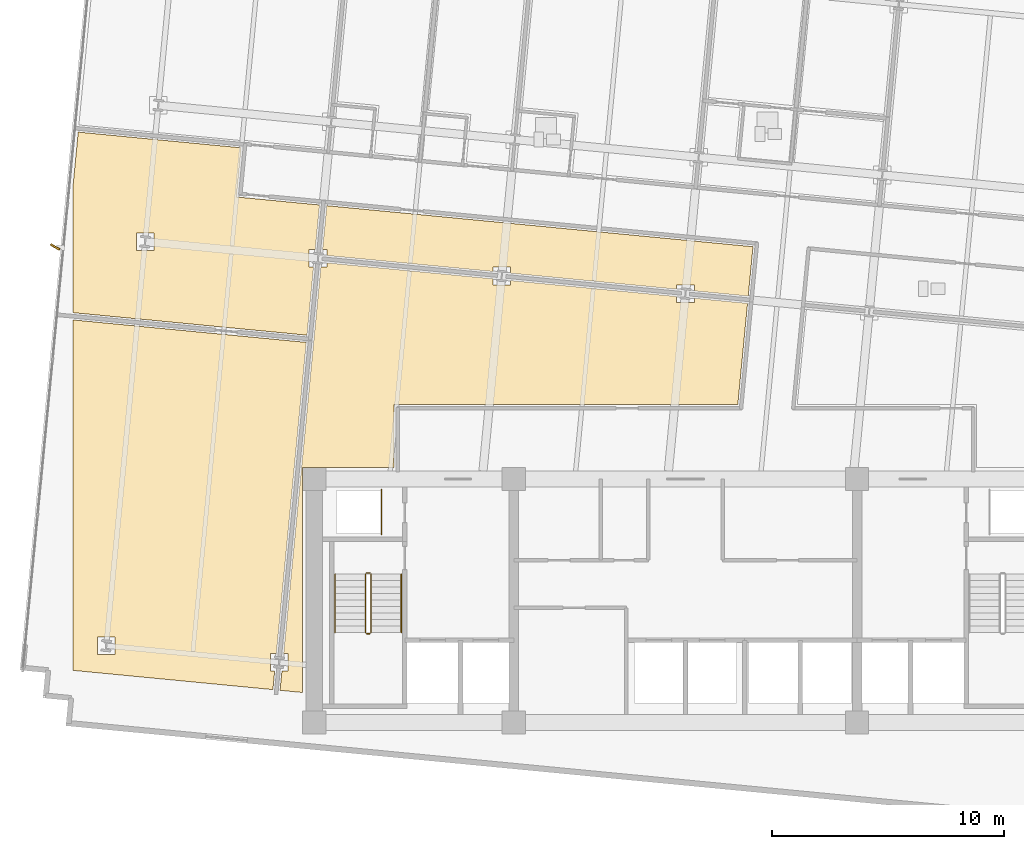
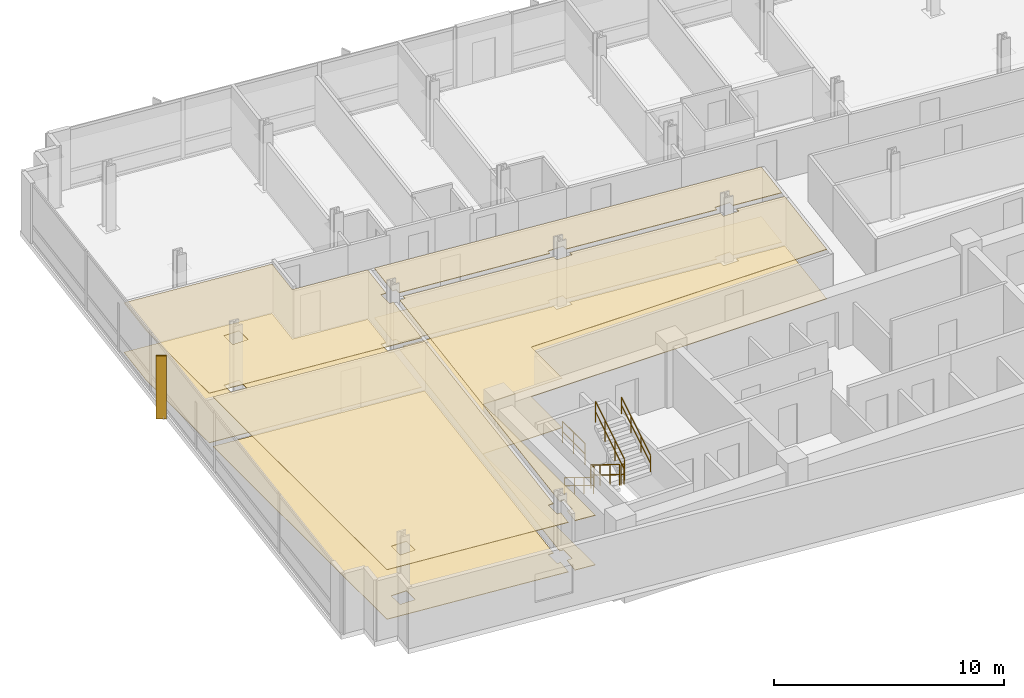
# One storey, part 14 of 17: 8 coverings, 7 railings, 1 shading device.
"""IFC4 building model written with IfcOpenShell, lengths in metres."""

from ifc_helpers import new_model, si_unit, direction, frame, origin, origin_2d, place, context, subcontext, project, spatial, polyline, rectangle, circle, outline, extrude, material, layer, layer_set, type_object, element, save


model = new_model("IFC4")

# Units and contexts
model_context = context("Model", 3, precision=1e-05, world=origin(), true_north=direction((0.0, 1.0)))
body_context = subcontext(model_context, "Body", "Model", "MODEL_VIEW")
ifc_project = project(units=[si_unit("LENGTHUNIT", "METRE"), si_unit("AREAUNIT", "SQUARE_METRE"), si_unit("VOLUMEUNIT", "CUBIC_METRE"), si_unit("PLANEANGLEUNIT", "RADIAN"), si_unit("MASSUNIT", "GRAM", prefix="KILO")], contexts=[model_context])

# Site, building, storey
site_placement = place(None, origin())
site = spatial("IfcSite", under=ifc_project, at=site_placement, CompositionType="ELEMENT")
building_placement = place(site_placement, origin())
building = spatial("IfcBuilding", under=site, at=building_placement, Name="Solmavex Isthmus Hotel", CompositionType="ELEMENT")
storey_placement = place(building_placement, frame((0.0, 0.0, 153.14990234375)))
storey = spatial("IfcBuildingStorey", under=building, at=storey_placement, Name="L41", CompositionType="ELEMENT", Elevation=153.14990234375)

# Coverings
ifc_material_1 = material(Name="Gypsum plasterboard lining", Category="gypsum")
ifc_layer_1 = layer(ifc_material_1, 0.030029296875)
ifc_layer_set_1 = layer_set([ifc_layer_1], Name="Gypsum plasterboard lining")
covering_type_1 = type_object("IfcCoveringType", Name="COV-CEIL-GYP", PredefinedType="CEILING", material=ifc_layer_set_1)
covering_1_placement = place(storey_placement, frame((0.0, 0.0, 2.6201171875)))
element("IfcCovering", 1, at=covering_1_placement, inside=storey, type_object=covering_type_1, Name="Suspended Acoustic Ceiling L41-FL08", PredefinedType="CEILING", context=body_context, shape_type="SweptSolid", body=[
    extrude(outline(polyline([(-0.378662109375, 5.6826171875), (-0.378662109375, 5.870361328125), (0.38134765625, 5.870361328125), (0.38134765625, 5.609375), (2.706787109375, 5.385498046875), (2.911865234375, 7.515625), (-15.463134765625, 9.284912109375), (-15.645263671875, 7.3955078125), (-15.45751953125, 7.3955078125), (-15.45751953125, 7.134521484375), (-8.298095703125, 6.445068359375), (-8.298095703125, 6.6328125), (-7.5380859375, 6.6328125), (-7.5380859375, 6.3720703125), (-0.378662109375, 5.6826171875)])), origin(), (0.0, 0.0, 1.0), 0.030029296875),
])
covering_2_placement = place(storey_placement, frame((0.0, 0.0, 2.6201171875)))
element("IfcCovering", 2, at=covering_2_placement, inside=storey, type_object=covering_type_1, Name="Suspended Acoustic Ceiling L41-FL10", PredefinedType="CEILING", context=body_context, shape_type="SweptSolid", body=[
    extrude(outline(polyline([(-16.02978515625, 6.635498046875), (-16.217529296875, 6.635498046875), (-16.217529296875, 7.3955078125), (-15.95654296875, 7.3955078125), (-15.771728515625, 9.314697265625), (-19.355224609375, 9.65966796875), (-19.151123046875, 11.780029296875), (-26.176513671875, 12.45654296875), (-26.39990234375, 10.135986328125), (-26.39990234375, 4.672119140625), (-16.312255859375, 3.70068359375), (-16.02978515625, 6.635498046875)]), holes=[polyline([(-23.6708984375, 7.35302734375), (-23.6708984375, 8.113037109375), (-22.910888671875, 8.113037109375), (-22.910888671875, 7.35302734375), (-23.6708984375, 7.35302734375)])]), origin(), (0.0, 0.0, 1.0), 0.030029296875),
])
covering_3_placement = place(storey_placement, frame((0.0, 0.0, 2.6201171875)))
element("IfcCovering", 3, at=covering_3_placement, inside=storey, type_object=covering_type_1, Name="Suspended Acoustic Ceiling L41-FL11", PredefinedType="CEILING", context=body_context, shape_type="SweptSolid", body=[
    extrude(outline(polyline([(-17.322509765625, -10.02392578125), (-17.134765625, -10.02392578125), (-17.134765625, -10.783935546875), (-17.395751953125, -10.783935546875), (-17.47509765625, -11.6083984375), (-16.5048828125, -11.70166015625), (-16.5048828125, -1.9951171875), (-12.554931640625, -1.9951171875), (-12.554931640625, 0.705078125), (2.256103515625, 0.705078125), (2.677001953125, 5.076904296875), (0.38134765625, 5.298095703125), (0.38134765625, 5.1103515625), (-0.378662109375, 5.1103515625), (-0.378662109375, 5.37109375), (-7.5380859375, 6.060546875), (-7.5380859375, 5.872802734375), (-8.298095703125, 5.872802734375), (-8.298095703125, 6.1337890625), (-15.45751953125, 6.822998046875), (-15.45751953125, 6.635498046875), (-15.71826171875, 6.635498046875), (-17.322509765625, -10.02392578125)])), origin(), (0.0, 0.0, 1.0), 0.030029296875),
])
covering_4_placement = place(storey_placement, frame((0.0, 0.0, 2.6201171875)))
element("IfcCovering", 4, at=covering_4_placement, inside=storey, type_object=covering_type_1, Name="Suspended Acoustic Ceiling L41-FL13", PredefinedType="CEILING", context=body_context, shape_type="SweptSolid", body=[
    extrude(outline(polyline([(-26.39990234375, 4.360595703125), (-26.39990234375, -10.7490234375), (-17.78369140625, -11.57861328125), (-17.70703125, -10.783935546875), (-17.894775390625, -10.783935546875), (-17.894775390625, -10.02392578125), (-17.6337890625, -10.02392578125), (-16.342041015625, 3.39208984375), (-26.39990234375, 4.360595703125)]), holes=[polyline([(-25.348388671875, -10.06640625), (-25.348388671875, -9.306396484375), (-24.58837890625, -9.306396484375), (-24.58837890625, -10.06640625), (-25.348388671875, -10.06640625)])]), origin(), (0.0, 0.0, 1.0), 0.030029296875),
])
ifc_material_2 = material(Name="Travertine natural stone", Category="masonry")
ifc_layer_2 = layer(ifc_material_2, 0.02490234375)
ifc_layer_set_2 = layer_set([ifc_layer_2], Name="Travertine natural stone")
covering_type_2 = type_object("IfcCoveringType", Name="COV-FLOR-STN", PredefinedType="FLOORING", material=ifc_layer_set_2)
covering_5_placement = place(storey_placement, origin())
element("IfcCovering", 5, at=covering_5_placement, inside=storey, type_object=covering_type_2, Name="Stone and Timber Floor Finish L41-FL08", PredefinedType="FLOORING", context=body_context, shape_type="SweptSolid", body=[
    extrude(outline(polyline([(-0.378662109375, 5.6826171875), (-0.378662109375, 5.870361328125), (0.38134765625, 5.870361328125), (0.38134765625, 5.609375), (2.706787109375, 5.385498046875), (2.911865234375, 7.515625), (-15.463134765625, 9.284912109375), (-15.645263671875, 7.3955078125), (-15.45751953125, 7.3955078125), (-15.45751953125, 7.134521484375), (-8.298095703125, 6.445068359375), (-8.298095703125, 6.6328125), (-7.5380859375, 6.6328125), (-7.5380859375, 6.3720703125), (-0.378662109375, 5.6826171875)])), origin(), (0.0, 0.0, 1.0), 0.025146484375),
])
covering_6_placement = place(storey_placement, origin())
element("IfcCovering", 6, at=covering_6_placement, inside=storey, type_object=covering_type_2, Name="Stone and Timber Floor Finish L41-FL10", PredefinedType="FLOORING", context=body_context, shape_type="SweptSolid", body=[
    extrude(outline(polyline([(-16.02978515625, 6.635498046875), (-16.217529296875, 6.635498046875), (-16.217529296875, 7.3955078125), (-15.95654296875, 7.3955078125), (-15.771728515625, 9.314697265625), (-19.355224609375, 9.65966796875), (-19.151123046875, 11.780029296875), (-26.176513671875, 12.45654296875), (-26.39990234375, 10.135986328125), (-26.39990234375, 4.672119140625), (-16.312255859375, 3.70068359375), (-16.02978515625, 6.635498046875)]), holes=[polyline([(-23.6708984375, 7.35302734375), (-23.6708984375, 8.113037109375), (-22.910888671875, 8.113037109375), (-22.910888671875, 7.35302734375), (-23.6708984375, 7.35302734375)])]), origin(), (0.0, 0.0, 1.0), 0.025146484375),
])
covering_7_placement = place(storey_placement, origin())
element("IfcCovering", 7, at=covering_7_placement, inside=storey, type_object=covering_type_2, Name="Stone and Timber Floor Finish L41-FL11", PredefinedType="FLOORING", context=body_context, shape_type="SweptSolid", body=[
    extrude(outline(polyline([(-17.322509765625, -10.02392578125), (-17.134765625, -10.02392578125), (-17.134765625, -10.783935546875), (-17.395751953125, -10.783935546875), (-17.47509765625, -11.6083984375), (-16.5048828125, -11.70166015625), (-16.5048828125, -1.9951171875), (-12.554931640625, -1.9951171875), (-12.554931640625, 0.705078125), (2.256103515625, 0.705078125), (2.677001953125, 5.076904296875), (0.38134765625, 5.298095703125), (0.38134765625, 5.1103515625), (-0.378662109375, 5.1103515625), (-0.378662109375, 5.37109375), (-7.5380859375, 6.060546875), (-7.5380859375, 5.872802734375), (-8.298095703125, 5.872802734375), (-8.298095703125, 6.1337890625), (-15.45751953125, 6.822998046875), (-15.45751953125, 6.635498046875), (-15.71826171875, 6.635498046875), (-17.322509765625, -10.02392578125)])), origin(), (0.0, 0.0, 1.0), 0.025146484375),
])
covering_8_placement = place(storey_placement, origin())
element("IfcCovering", 8, at=covering_8_placement, inside=storey, type_object=covering_type_2, Name="Stone and Timber Floor Finish L41-FL13", PredefinedType="FLOORING", context=body_context, shape_type="SweptSolid", body=[
    extrude(outline(polyline([(-26.39990234375, 4.360595703125), (-26.39990234375, -10.7490234375), (-17.78369140625, -11.57861328125), (-17.70703125, -10.783935546875), (-17.894775390625, -10.783935546875), (-17.894775390625, -10.02392578125), (-17.6337890625, -10.02392578125), (-16.342041015625, 3.39208984375), (-26.39990234375, 4.360595703125)]), holes=[polyline([(-25.348388671875, -10.06640625), (-25.348388671875, -9.306396484375), (-24.58837890625, -9.306396484375), (-24.58837890625, -10.06640625), (-25.348388671875, -10.06640625)])]), origin(), (0.0, 0.0, 1.0), 0.025146484375),
])

# Railings
ifc_material_3 = material(Name="Clear low-E laminated glass", Category="glass")
ifc_layer_3 = layer(ifc_material_3, 0.080078125)
ifc_layer_set_3 = layer_set([ifc_layer_3], Name="Clear low-E laminated glass")
railing_type_1 = type_object("IfcRailingType", Name="RAIL-ATRIUM-1120", PredefinedType="BALUSTRADE", material=ifc_layer_set_3)
railing_1_placement = place(storey_placement, frame((-13.10009765625, -4.89990234375, 0.0)))
element("IfcRailing", 9, at=railing_1_placement, inside=storey, type_object=railing_type_1, Name="Guardrail Balustrade L41-RSW-01", PredefinedType="BALUSTRADE", context=body_context, shape_type="SweptSolid", body=[
    extrude(circle(Radius=0.02392578125, at=origin_2d()), frame((0.0, 0.0, 1.1259765625), z_axis=(0.0, 1.0, 0.0), x_axis=(-1.0, 0.0, 0.0)), (0.0, 0.0, 1.0), 1.949951171875),
    extrude(circle(Radius=0.02392578125, at=origin_2d()), frame((0.0, 0.0, 0.574951171875), z_axis=(0.0, 1.0, 0.0), x_axis=(-1.0, 0.0, 0.0)), (0.0, 0.0, 1.0), 1.949951171875),
    extrude(circle(Radius=0.02099609375, at=origin_2d()), origin(), (0.0, 0.0, 1.0), 1.101806640625),
    extrude(circle(Radius=0.02099609375, at=origin_2d()), frame((0.0, 0.97509765625, 0.0)), (0.0, 0.0, 1.0), 1.101806640625),
    extrude(circle(Radius=0.02099609375, at=origin_2d()), frame((0.0, 1.949951171875, 0.0)), (0.0, 0.0, 1.0), 1.101806640625),
])
ifc_material_4 = material(Name="Stainless steel 316", Category="steel")
ifc_layer_4 = layer(ifc_material_4, 0.06005859375)
ifc_layer_set_4 = layer_set([ifc_layer_4], Name="Stainless steel 316")
railing_type_2 = type_object("IfcRailingType", Name="RAIL-STAIR-GD", PredefinedType="GUARDRAIL", material=ifc_layer_set_4)
railing_2_placement = place(storey_placement, frame((-13.800048828125, -6.60009765625, 0.172607421875)))
element("IfcRailing", 10, at=railing_2_placement, inside=storey, type_object=railing_type_2, Name="L41 ST-1 stair guard 1", PredefinedType="GUARDRAIL", context=body_context, shape_type="SweptSolid", body=[
    extrude(circle(Radius=0.02392578125, at=origin_2d()), frame((0.0, 0.0, 1.09619140625), z_axis=(0.0, -0.851400495292, 0.524516154772), x_axis=(1.0, 0.0, 0.0)), (0.0, 0.0, 1.0), 2.9599609375),
    extrude(circle(Radius=0.02392578125, at=origin_2d()), frame((0.0, 0.0, 0.56005859375), z_axis=(0.0, -0.851400495292, 0.524516154772), x_axis=(1.0, 0.0, 0.0)), (0.0, 0.0, 1.0), 2.9599609375),
    extrude(circle(Radius=0.02099609375, at=origin_2d()), origin(), (0.0, 0.0, 1.0), 1.072021484375),
    extrude(circle(Radius=0.02099609375, at=origin_2d()), frame((0.0, -0.840087890625, 0.517578125)), (0.0, 0.0, 1.0), 1.072021484375),
    extrude(circle(Radius=0.02099609375, at=origin_2d()), frame((0.0, -1.679931640625, 1.034912109375)), (0.0, 0.0, 1.0), 1.072021484375),
    extrude(circle(Radius=0.02099609375, at=origin_2d()), frame((0.0, -2.52001953125, 1.552490234375)), (0.0, 0.0, 1.0), 1.072021484375),
])
railing_3_placement = place(storey_placement, frame((-13.75, -9.169921875, 1.72509765625)))
element("IfcRailing", 11, at=railing_3_placement, inside=storey, type_object=railing_type_2, Name="L41 ST-1 stair guard 2", PredefinedType="GUARDRAIL", context=body_context, shape_type="SweptSolid", body=[
    extrude(circle(Radius=0.02392578125, at=origin_2d()), frame((0.0, 0.0, 1.09619140625), z_axis=(1.0, 0.0, 0.0), x_axis=(0.0, 1.0, 0.0)), (0.0, 0.0, 1.0), 0.14990234375),
    extrude(circle(Radius=0.02392578125, at=origin_2d()), frame((0.0, 0.0, 0.56005859375), z_axis=(1.0, 0.0, 0.0), x_axis=(0.0, 1.0, 0.0)), (0.0, 0.0, 1.0), 0.14990234375),
    extrude(circle(Radius=0.02099609375, at=origin_2d()), origin(), (0.0, 0.0, 1.0), 1.072021484375),
    extrude(circle(Radius=0.02099609375, at=origin_2d()), frame((0.14990234375, 0.0, 0.0)), (0.0, 0.0, 1.0), 1.072021484375),
])
railing_4_placement = place(storey_placement, frame((-13.550048828125, -9.1201171875, 1.897705078125)))
element("IfcRailing", 12, at=railing_4_placement, inside=storey, type_object=railing_type_2, Name="L41 ST-1 stair guard 3", PredefinedType="GUARDRAIL", context=body_context, shape_type="SweptSolid", body=[
    extrude(circle(Radius=0.02392578125, at=origin_2d()), frame((0.0, 0.0, 1.09619140625), z_axis=(0.0, 0.851400495292, 0.524516154772), x_axis=(-1.0, 0.0, 0.0)), (0.0, 0.0, 1.0), 2.9599609375),
    extrude(circle(Radius=0.02392578125, at=origin_2d()), frame((0.0, 0.0, 0.56005859375), z_axis=(0.0, 0.851400495292, 0.524516154772), x_axis=(-1.0, 0.0, 0.0)), (0.0, 0.0, 1.0), 2.9599609375),
    extrude(circle(Radius=0.02099609375, at=origin_2d()), origin(), (0.0, 0.0, 1.0), 1.072021484375),
    extrude(circle(Radius=0.02099609375, at=origin_2d()), frame((0.0, 0.840087890625, 0.517578125)), (0.0, 0.0, 1.0), 1.072021484375),
    extrude(circle(Radius=0.02099609375, at=origin_2d()), frame((0.0, 1.679931640625, 1.034912109375)), (0.0, 0.0, 1.0), 1.072021484375),
    extrude(circle(Radius=0.02099609375, at=origin_2d()), frame((0.0, 2.52001953125, 1.552490234375)), (0.0, 0.0, 1.0), 1.072021484375),
])
railing_5_placement = place(storey_placement, frame((-13.75, -6.550048828125, 0.0)))
element("IfcRailing", 13, at=railing_5_placement, inside=storey, type_object=railing_type_2, Name="L41 ST-1 stair guard 4", PredefinedType="GUARDRAIL", context=body_context, shape_type="SweptSolid", body=[
    extrude(circle(Radius=0.02392578125, at=origin_2d()), frame((0.0, 0.0, 1.09619140625), z_axis=(1.0, 0.0, 0.0), x_axis=(0.0, 1.0, 0.0)), (0.0, 0.0, 1.0), 0.14990234375),
    extrude(circle(Radius=0.02392578125, at=origin_2d()), frame((0.0, 0.0, 0.56005859375), z_axis=(1.0, 0.0, 0.0), x_axis=(0.0, 1.0, 0.0)), (0.0, 0.0, 1.0), 0.14990234375),
    extrude(circle(Radius=0.02099609375, at=origin_2d()), origin(), (0.0, 0.0, 1.0), 1.072021484375),
    extrude(circle(Radius=0.02099609375, at=origin_2d()), frame((0.14990234375, 0.0, 0.0)), (0.0, 0.0, 1.0), 1.072021484375),
])
ifc_layer_5 = layer(ifc_material_4, 0.050048828125)
ifc_layer_set_5 = layer_set([ifc_layer_5], Name="Stainless steel 316")
railing_type_3 = type_object("IfcRailingType", Name="RAIL-STAIR-HR", PredefinedType="HANDRAIL", material=ifc_layer_set_5)
railing_6_placement = place(storey_placement, frame((-15.10009765625, -6.60009765625, 0.172607421875)))
element("IfcRailing", 14, at=railing_6_placement, inside=storey, type_object=railing_type_3, Name="L41 ST-1 stair handrail 1", PredefinedType="HANDRAIL", context=body_context, shape_type="SweptSolid", body=[
    extrude(circle(Radius=0.02392578125, at=origin_2d()), frame((0.0, 0.0, 0.8759765625), z_axis=(0.0, -0.851400495292, 0.524516154772), x_axis=(1.0, 0.0, 0.0)), (0.0, 0.0, 1.0), 2.9599609375),
    extrude(circle(Radius=0.02392578125, at=origin_2d()), frame((0.0, 0.0, 0.449951171875), z_axis=(0.0, -0.851400495292, 0.524516154772), x_axis=(1.0, 0.0, 0.0)), (0.0, 0.0, 1.0), 2.9599609375),
    extrude(circle(Radius=0.02099609375, at=origin_2d()), origin(), (0.0, 0.0, 1.0), 0.851806640625),
    extrude(circle(Radius=0.02099609375, at=origin_2d()), frame((0.0, -0.840087890625, 0.517578125)), (0.0, 0.0, 1.0), 0.851806640625),
    extrude(circle(Radius=0.02099609375, at=origin_2d()), frame((0.0, -1.679931640625, 1.034912109375)), (0.0, 0.0, 1.0), 0.851806640625),
    extrude(circle(Radius=0.02099609375, at=origin_2d()), frame((0.0, -2.52001953125, 1.552490234375)), (0.0, 0.0, 1.0), 0.851806640625),
])
railing_7_placement = place(storey_placement, frame((-12.25, -9.1201171875, 1.897705078125)))
element("IfcRailing", 15, at=railing_7_placement, inside=storey, type_object=railing_type_3, Name="L41 ST-1 stair handrail 2", PredefinedType="HANDRAIL", context=body_context, shape_type="SweptSolid", body=[
    extrude(circle(Radius=0.02392578125, at=origin_2d()), frame((0.0, 0.0, 0.8759765625), z_axis=(0.0, 0.851400495292, 0.524516154772), x_axis=(-1.0, 0.0, 0.0)), (0.0, 0.0, 1.0), 2.9599609375),
    extrude(circle(Radius=0.02392578125, at=origin_2d()), frame((0.0, 0.0, 0.449951171875), z_axis=(0.0, 0.851400495292, 0.524516154772), x_axis=(-1.0, 0.0, 0.0)), (0.0, 0.0, 1.0), 2.9599609375),
    extrude(circle(Radius=0.02099609375, at=origin_2d()), origin(), (0.0, 0.0, 1.0), 0.851806640625),
    extrude(circle(Radius=0.02099609375, at=origin_2d()), frame((0.0, 0.840087890625, 0.517578125)), (0.0, 0.0, 1.0), 0.851806640625),
    extrude(circle(Radius=0.02099609375, at=origin_2d()), frame((0.0, 1.679931640625, 1.034912109375)), (0.0, 0.0, 1.0), 0.851806640625),
    extrude(circle(Radius=0.02099609375, at=origin_2d()), frame((0.0, 2.52001953125, 1.552490234375)), (0.0, 0.0, 1.0), 0.851806640625),
])

# Shading device
ifc_material_5 = material(Name="Aluminium alloy 6063-T6", Category="aluminium")
shading_device_type = type_object("IfcShadingDeviceType", Name="SHD-FIN-BRONZE", PredefinedType="USERDEFINED", material=ifc_material_5)
shading_device_placement = place(storey_placement, frame((-27.1708984375, 7.50390625, -0.139892578125), z_axis=(0.0, 0.0, 1.0), x_axis=(-0.87035569594, 0.492423560103, 0.0)))
element("IfcShadingDevice", 16, at=shading_device_placement, inside=storey, type_object=shading_device_type, Name="Anodised Aluminium Solar Fin L41-W1", ObjectType="SOLAR_FIN", PredefinedType="USERDEFINED", context=body_context, shape_type="SweptSolid", body=[
    extrude(rectangle(XDim=0.449951171875, YDim=0.080078125, at=origin_2d()), origin(), (0.0, 0.0, 1.0), 3.330078125),
])

save(model, "model.ifc")
